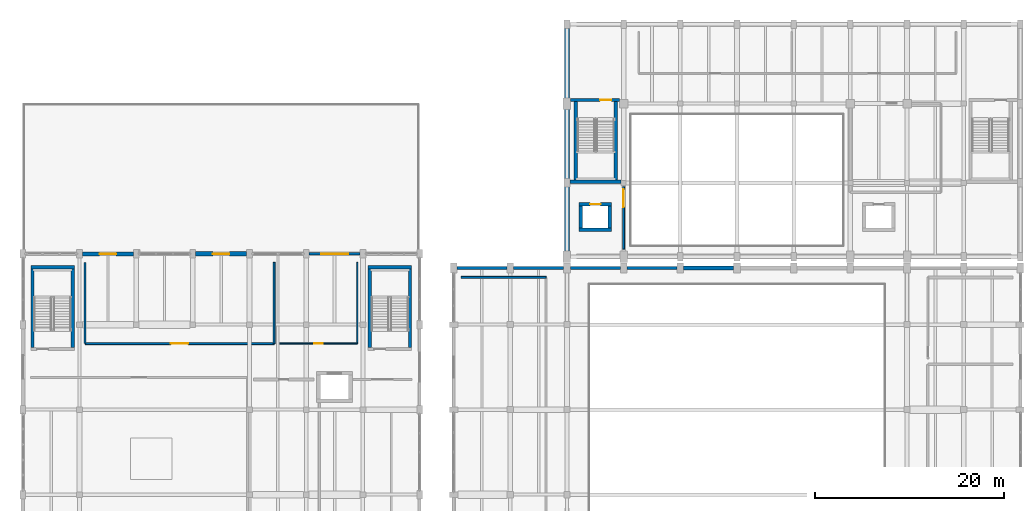
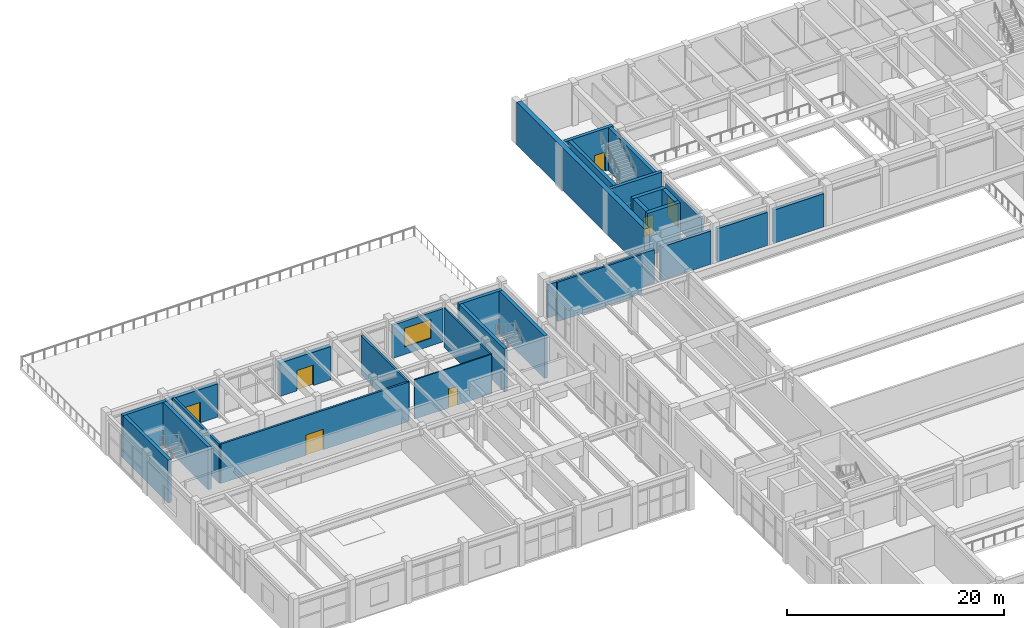
# One storey, part 60 of 80: 30 walls, 7 doors, 1 window, 8 openings.
"""IFC4 building model written with IfcOpenShell, lengths in metres."""

from ifc_helpers import new_model, si_unit, direction, frame, frame_2d, origin, place, context, subcontext, project, spatial, rectangle, extrude, material, layer, layer_set, type_object, element, fill, save


model = new_model("IFC4")

# Units and contexts
model_context = context("Model", 3, precision=1e-05, world=origin(), true_north=direction((0.0, 1.0)))
body_context = subcontext(model_context, "Body", "Model", "MODEL_VIEW")
ifc_project = project(units=[si_unit("LENGTHUNIT", "METRE"), si_unit("AREAUNIT", "SQUARE_METRE"), si_unit("VOLUMEUNIT", "CUBIC_METRE"), si_unit("PLANEANGLEUNIT", "RADIAN"), si_unit("MASSUNIT", "GRAM", prefix="KILO")], contexts=[model_context])

# Site, building, storey
site_placement = place(None, origin())
site = spatial("IfcSite", under=ifc_project, at=site_placement, CompositionType="ELEMENT")
building_placement = place(site_placement, origin())
building = spatial("IfcBuilding", under=site, at=building_placement, Name="Vaelkrest Opera House", CompositionType="ELEMENT")
storey_placement = place(building_placement, frame((0.0, 0.0, 15.0)))
storey = spatial("IfcBuildingStorey", under=building, at=storey_placement, Name="L03", CompositionType="ELEMENT", Elevation=15.0)

# Wall, opening, window
ifc_material_1 = material(Name="Douglas fir glulam GL28h", Category="wood")
ifc_layer_1 = layer(ifc_material_1, 0.2548828125)
ifc_layer_set_1 = layer_set([ifc_layer_1], Name="Douglas fir glulam GL28h")
wall_type_1 = type_object("IfcWallType", Name="EW01", PredefinedType="STANDARD", material=ifc_layer_set_1)
wall_1_placement = place(storey_placement, frame((-45.302001953125, 17.699951171875, 0.0), z_axis=(0.0, 0.0, 1.0), x_axis=(1.0, 0.0, 0.0)))
wall_1 = element("IfcWall", 1, at=wall_1_placement, inside=storey, type_object=wall_type_1, Name="Exterior facade wall EW-V3-L03-0191", PredefinedType="STANDARD", context=body_context, shape_type="SweptSolid", body=[
    extrude(rectangle(XDim=5.404052734375, YDim=0.2548828125, at=frame_2d((2.7021484375, 0.0))), origin(), (0.0, 0.0, 1.0), 3.7451171875),
])
opening_1_placement = place(wall_1_placement, frame((1.277099609375, 0.0, 0.85009765625)))
opening_1 = element("IfcOpeningElement", 2, at=opening_1_placement, cuts=wall_1, Name="Opening WN097", PredefinedType="OPENING", context=body_context, shape_type="SweptSolid", body=[
    extrude(rectangle(XDim=2.85009765625, YDim=2.10009765625, at=frame_2d((1.425048828125, 1.050048828125))), frame((0.0, 0.137451171875, 0.0), z_axis=(0.0, -1.0, 0.0), x_axis=(1.0, 0.0, 0.0)), (0.0, 0.0, 1.0), 0.27490234375),
])
ifc_material_2 = material(Name="Double low-E insulated glazing", Category="glass")
window_type = type_object("IfcWindowType", Name="WT19", PartitioningType="SINGLE_PANEL", PredefinedType="WINDOW", material=ifc_material_2)
window_placement = place(opening_1_placement, origin())
window = element("IfcWindow", 3, at=window_placement, inside=storey, type_object=window_type, Name="Facade window WN097", OverallHeight=2.10009765625, OverallWidth=2.85009765625, PartitioningType="SINGLE_PANEL", PredefinedType="WINDOW", context=body_context, shape_type="SweptSolid", body=[
    extrude(rectangle(XDim=2.85009765625, YDim=2.10009765625, at=frame_2d((1.425048828125, 1.050048828125))), frame((0.0, 0.030029296875, 0.0), z_axis=(0.0, -1.0, 0.0), x_axis=(1.0, 0.0, 0.0)), (0.0, 0.0, 1.0), 0.06005859375),
])
fill(opening_1, window)

# Walls
ifc_layer_2 = layer(ifc_material_1, 0.294921875)
ifc_layer_set_2 = layer_set([ifc_layer_2], Name="Douglas fir glulam GL28h")
wall_type_2 = type_object("IfcWallType", Name="EW03", PredefinedType="STANDARD", material=ifc_layer_set_2)
wall_2_placement = place(storey_placement, frame((-29.652099609375, 16.199951171875, 0.0), z_axis=(0.0, 0.0, 1.0), x_axis=(1.0, 0.0, 0.0)))
element("IfcWall", 4, at=wall_2_placement, inside=storey, type_object=wall_type_2, Name="Exterior facade wall EW-V1-L03-0083", PredefinedType="STANDARD", context=body_context, shape_type="SweptSolid", body=[
    extrude(rectangle(XDim=5.30419921875, YDim=0.294921875, at=frame_2d((2.652099609375, 0.0))), origin(), (0.0, 0.0, 1.0), 3.7451171875),
])
ifc_material_3 = material(Name="American black walnut acoustic timber", Category="wood")
ifc_layer_3 = layer(ifc_material_3, 0.31494140625)
ifc_layer_set_3 = layer_set([ifc_layer_3], Name="American black walnut acoustic timber")
wall_type_3 = type_object("IfcWallType", Name="EW04", PredefinedType="STANDARD", material=ifc_layer_set_3)
wall_3_placement = place(storey_placement, frame((-23.652099609375, 16.199951171875, 0.0), z_axis=(0.0, 0.0, 1.0), x_axis=(1.0, 0.0, 0.0)))
element("IfcWall", 5, at=wall_3_placement, inside=storey, type_object=wall_type_3, Name="Exterior facade wall EW-V1-L03-0084", PredefinedType="STANDARD", context=body_context, shape_type="SweptSolid", body=[
    extrude(rectangle(XDim=5.30419921875, YDim=0.31494140625, at=frame_2d((2.652099609375, 0.0))), origin(), (0.0, 0.0, 1.0), 3.7451171875),
])
ifc_layer_4 = layer(ifc_material_3, 0.3349609375)
ifc_layer_set_4 = layer_set([ifc_layer_4], Name="American black walnut acoustic timber")
wall_type_4 = type_object("IfcWallType", Name="EW05", PredefinedType="STANDARD", material=ifc_layer_set_4)
wall_4_placement = place(storey_placement, frame((-17.652099609375, 16.199951171875, 0.0), z_axis=(0.0, 0.0, 1.0), x_axis=(1.0, 0.0, 0.0)))
element("IfcWall", 6, at=wall_4_placement, inside=storey, type_object=wall_type_4, Name="Exterior facade wall EW-V1-L03-0085", PredefinedType="STANDARD", context=body_context, shape_type="SweptSolid", body=[
    extrude(rectangle(XDim=5.30419921875, YDim=0.3349609375, at=frame_2d((2.652099609375, 0.0))), origin(), (0.0, 0.0, 1.0), 3.7451171875),
])
ifc_layer_5 = layer(ifc_material_3, 0.360107421875)
ifc_layer_set_5 = layer_set([ifc_layer_5], Name="American black walnut acoustic timber")
wall_type_5 = type_object("IfcWallType", Name="EW06", PredefinedType="STANDARD", material=ifc_layer_set_5)
wall_5_placement = place(storey_placement, frame((-11.652099609375, 16.199951171875, 0.0), z_axis=(0.0, 0.0, 1.0), x_axis=(1.0, 0.0, 0.0)))
element("IfcWall", 7, at=wall_5_placement, inside=storey, type_object=wall_type_5, Name="Exterior facade wall EW-V1-L03-0086", PredefinedType="STANDARD", context=body_context, shape_type="SweptSolid", body=[
    extrude(rectangle(XDim=5.30419921875, YDim=0.360107421875, at=frame_2d((2.652099609375, 0.0))), origin(), (0.0, 0.0, 1.0), 3.7451171875),
])
ifc_material_4 = material(Name="Concrete C40/50", Category="concrete")
ifc_layer_6 = layer(ifc_material_4, 0.385009765625)
ifc_layer_set_6 = layer_set([ifc_layer_6], Name="Concrete C40/50")
wall_type_6 = type_object("IfcWallType", Name="EW07", PredefinedType="STANDARD", material=ifc_layer_set_6)
wall_6_placement = place(storey_placement, frame((-5.652099609375, 16.199951171875, 0.0), z_axis=(0.0, 0.0, 1.0), x_axis=(1.0, 0.0, 0.0)))
element("IfcWall", 8, at=wall_6_placement, inside=storey, type_object=wall_type_6, Name="Exterior facade wall EW-V1-L03-0087", PredefinedType="STANDARD", context=body_context, shape_type="SweptSolid", body=[
    extrude(rectangle(XDim=5.30419921875, YDim=0.385009765625, at=frame_2d((2.652099609375, 0.0))), origin(), (0.0, 0.0, 1.0), 3.7451171875),
])

# Wall, opening, door
ifc_layer_7 = layer(ifc_material_4, 0.43505859375)
ifc_layer_set_7 = layer_set([ifc_layer_7], Name="Concrete C40/50")
wall_type_7 = type_object("IfcWallType", Name="EW09", PredefinedType="STANDARD", material=ifc_layer_set_7)
wall_7_placement = place(storey_placement, frame((-69.302001953125, 17.699951171875, 0.0), z_axis=(0.0, 0.0, 1.0), x_axis=(1.0, 0.0, 0.0)))
wall_7 = element("IfcWall", 9, at=wall_7_placement, inside=storey, type_object=wall_type_7, Name="Exterior facade wall EW-V3-L03-0189", PredefinedType="STANDARD", context=body_context, shape_type="SweptSolid", body=[
    extrude(rectangle(XDim=5.404052734375, YDim=0.43505859375, at=frame_2d((2.7021484375, 0.0))), origin(), (0.0, 0.0, 1.0), 3.7451171875),
])
opening_2_placement = place(wall_7_placement, frame((1.826904296875, 0.0, 0.0)))
opening_2 = element("IfcOpeningElement", 10, at=opening_2_placement, cuts=wall_7, Name="Opening TD-V3-L03-1", PredefinedType="OPENING", context=body_context, shape_type="SweptSolid", body=[
    extrude(rectangle(XDim=1.75, YDim=2.300048828125, at=frame_2d((0.875, 1.14990234375))), frame((0.0, 0.2275390625, 0.0), z_axis=(0.0, -1.0, 0.0), x_axis=(1.0, 0.0, 0.0)), (0.0, 0.0, 1.0), 0.455078125),
])
ifc_material_5 = material(Name="Dark bronze anodized aluminium", Category="aluminium")
door_type_1 = type_object("IfcDoorType", Name="EDT04", OperationType="DOUBLE_DOOR_SINGLE_SWING", PredefinedType="DOOR", material=ifc_material_5)
door_1_placement = place(opening_2_placement, origin())
door_1 = element("IfcDoor", 11, at=door_1_placement, inside=storey, type_object=door_type_1, Name="Exterior exit door TD-V3-L03-1", OperationType="DOUBLE_DOOR_SINGLE_SWING", OverallHeight=2.300048828125, OverallWidth=1.75, PredefinedType="DOOR", context=body_context, shape_type="SweptSolid", body=[
    extrude(rectangle(XDim=1.75, YDim=2.300048828125, at=frame_2d((0.875, 1.14990234375))), frame((0.0, 0.02490234375, 0.0), z_axis=(0.0, -1.0, 0.0), x_axis=(1.0, 0.0, 0.0)), (0.0, 0.0, 1.0), 0.050048828125),
])
fill(opening_2, door_1)

ifc_layer_8 = layer(ifc_material_4, 0.465087890625)
ifc_layer_set_8 = layer_set([ifc_layer_8], Name="Concrete C40/50")
wall_type_8 = type_object("IfcWallType", Name="EW10", PredefinedType="STANDARD", material=ifc_layer_set_8)
wall_8_placement = place(storey_placement, frame((-57.302001953125, 17.699951171875, 0.0), z_axis=(0.0, 0.0, 1.0), x_axis=(1.0, 0.0, 0.0)))
wall_8 = element("IfcWall", 12, at=wall_8_placement, inside=storey, type_object=wall_type_8, Name="Exterior facade wall EW-V3-L03-0190", PredefinedType="STANDARD", context=body_context, shape_type="SweptSolid", body=[
    extrude(rectangle(XDim=5.404052734375, YDim=0.465087890625, at=frame_2d((2.7021484375, 0.0))), origin(), (0.0, 0.0, 1.0), 3.7451171875),
])
opening_3_placement = place(wall_8_placement, frame((1.826904296875, 0.0, 0.0)))
opening_3 = element("IfcOpeningElement", 13, at=opening_3_placement, cuts=wall_8, Name="Opening TD-V3-L03-3", PredefinedType="OPENING", context=body_context, shape_type="SweptSolid", body=[
    extrude(rectangle(XDim=1.75, YDim=2.300048828125, at=frame_2d((0.875, 1.14990234375))), frame((0.0, 0.242431640625, 0.0), z_axis=(0.0, -1.0, 0.0), x_axis=(1.0, 0.0, 0.0)), (0.0, 0.0, 1.0), 0.485107421875),
])
door_2_placement = place(opening_3_placement, origin())
door_2 = element("IfcDoor", 14, at=door_2_placement, inside=storey, type_object=door_type_1, Name="Exterior exit door TD-V3-L03-3", OperationType="DOUBLE_DOOR_SINGLE_SWING", OverallHeight=2.300048828125, OverallWidth=1.75, PredefinedType="DOOR", context=body_context, shape_type="SweptSolid", body=[
    extrude(rectangle(XDim=1.75, YDim=2.300048828125, at=frame_2d((0.875, 1.14990234375))), frame((0.0, 0.02490234375, 0.0), z_axis=(0.0, -1.0, 0.0), x_axis=(1.0, 0.0, 0.0)), (0.0, 0.0, 1.0), 0.050048828125),
])
fill(opening_3, door_2)

ifc_material_6 = material(Name="Gypsum acoustic board", Category="gypsum")
ifc_layer_9 = layer(ifc_material_6, 0.135009765625)
ifc_layer_set_9 = layer_set([ifc_layer_9], Name="Gypsum acoustic board")
wall_type_9 = type_object("IfcWallType", Name="PT02", PredefinedType="PARTITIONING", material=ifc_layer_set_9)
wall_9_placement = place(storey_placement, frame((-48.39990234375, 8.199951171875, 0.0), z_axis=(0.0, 0.0, 1.0), x_axis=(1.0, 0.0, 0.0)))
wall_9 = element("IfcWall", 15, at=wall_9_placement, inside=storey, type_object=wall_type_9, Name="Interior partition PT-V3-L03-0310", PredefinedType="PARTITIONING", context=body_context, shape_type="SweptSolid", body=[
    extrude(rectangle(XDim=8.199951171875, YDim=0.135009765625, at=frame_2d((4.10009765625, 0.0))), origin(), (0.0, 0.0, 1.0), 4.419921875),
])
opening_4_placement = place(wall_9_placement, frame((3.6298828125, 0.0, 0.0)))
opening_4 = element("IfcOpeningElement", 16, at=opening_4_placement, cuts=wall_9, Name="Opening D124", PredefinedType="OPENING", context=body_context, shape_type="SweptSolid", body=[
    extrude(rectangle(XDim=0.93994140625, YDim=2.10009765625, at=frame_2d((0.469970703125, 1.050048828125))), frame((0.0, 0.077392578125, 0.0), z_axis=(0.0, -1.0, 0.0), x_axis=(1.0, 0.0, 0.0)), (0.0, 0.0, 1.0), 0.155029296875),
])
door_type_2 = type_object("IfcDoorType", Name="DT02", OperationType="NOTDEFINED", PredefinedType="DOOR", material=ifc_material_3)
door_3_placement = place(opening_4_placement, origin())
door_3 = element("IfcDoor", 17, at=door_3_placement, inside=storey, type_object=door_type_2, Name="Interior door D124 (Accessible Washroom)", OperationType="SINGLE_SWING_LEFT", OverallHeight=2.10009765625, OverallWidth=0.93994140625, PredefinedType="DOOR", context=body_context, shape_type="SweptSolid", body=[
    extrude(rectangle(XDim=0.93994140625, YDim=2.10009765625, at=frame_2d((0.469970703125, 1.050048828125))), frame((0.0, 0.02490234375, 0.0), z_axis=(0.0, -1.0, 0.0), x_axis=(1.0, 0.0, 0.0)), (0.0, 0.0, 1.0), 0.050048828125),
])
fill(opening_4, door_3)

# Walls
ifc_layer_10 = layer(ifc_material_6, 0.14990234375)
ifc_layer_set_10 = layer_set([ifc_layer_10], Name="Gypsum acoustic board")
wall_type_10 = type_object("IfcWallType", Name="PT03", PredefinedType="PARTITIONING", material=ifc_layer_set_10)
wall_10_placement = place(storey_placement, frame((-40.199951171875, 8.199951171875, 0.0), z_axis=(0.0, 0.0, 1.0), x_axis=(0.0, 1.0, 0.0)))
element("IfcWall", 18, at=wall_10_placement, inside=storey, type_object=wall_type_10, Name="Interior partition PT-V3-L03-0311", PredefinedType="PARTITIONING", context=body_context, shape_type="SweptSolid", body=[
    extrude(rectangle(XDim=8.60009765625, YDim=0.14990234375, at=frame_2d((4.300048828125, 0.0))), origin(), (0.0, 0.0, 1.0), 4.419921875),
])
ifc_layer_11 = layer(ifc_material_3, 0.2099609375)
ifc_layer_set_11 = layer_set([ifc_layer_11], Name="American black walnut acoustic timber")
wall_type_11 = type_object("IfcWallType", Name="PT07", PredefinedType="PARTITIONING", material=ifc_layer_set_11)
wall_11_placement = place(storey_placement, frame((-29.199951171875, 15.199951171875, 0.0), z_axis=(0.0, 0.0, 1.0), x_axis=(1.0, 0.0, 0.0)))
element("IfcWall", 19, at=wall_11_placement, inside=storey, type_object=wall_type_11, Name="Interior partition PT-V1-L03-0091", PredefinedType="PARTITIONING", context=body_context, shape_type="SweptSolid", body=[
    extrude(rectangle(XDim=9.0, YDim=0.2099609375, at=frame_2d((4.5, 0.0))), origin(), (0.0, 0.0, 1.0), 4.419921875),
])

# Wall, opening, door
wall_12_placement = place(storey_placement, frame((-12.0, 18.199951171875, 0.0), z_axis=(0.0, 0.0, 1.0), x_axis=(0.0, 1.0, 0.0)))
wall_12 = element("IfcWall", 20, at=wall_12_placement, inside=storey, type_object=wall_type_11, Name="Interior partition PT-V2-L03-0205", PredefinedType="PARTITIONING", context=body_context, shape_type="SweptSolid", body=[
    extrude(rectangle(XDim=6.60009765625, YDim=0.2099609375, at=frame_2d((3.300048828125, 0.0))), origin(), (0.0, 0.0, 1.0), 3.73388671875),
])
opening_5_placement = place(wall_12_placement, frame((4.429931640625, 0.0, 0.0)))
opening_5 = element("IfcOpeningElement", 21, at=opening_5_placement, cuts=wall_12, Name="Opening D079", PredefinedType="OPENING", context=body_context, shape_type="SweptSolid", body=[
    extrude(rectangle(XDim=1.919921875, YDim=2.39990234375, at=frame_2d((0.9599609375, 1.199951171875))), frame((0.0, 0.114990234375, 0.0), z_axis=(0.0, -1.0, 0.0), x_axis=(1.0, 0.0, 0.0)), (0.0, 0.0, 1.0), 0.22998046875),
])
door_type_3 = type_object("IfcDoorType", Name="DT25", OperationType="DOUBLE_DOOR_SINGLE_SWING", PredefinedType="DOOR", material=ifc_material_3)
door_4_placement = place(opening_5_placement, origin())
door_4 = element("IfcDoor", 22, at=door_4_placement, inside=storey, type_object=door_type_3, Name="Interior door D079 (Fly Gallery)", OperationType="DOUBLE_DOOR_SINGLE_SWING", OverallHeight=2.39990234375, OverallWidth=1.919921875, PredefinedType="DOOR", context=body_context, shape_type="SweptSolid", body=[
    extrude(rectangle(XDim=1.919921875, YDim=2.39990234375, at=frame_2d((0.9599609375, 1.199951171875))), frame((0.0, 0.02490234375, 0.0), z_axis=(0.0, -1.0, 0.0), x_axis=(1.0, 0.0, 0.0)), (0.0, 0.0, 1.0), 0.050048828125),
])
fill(opening_5, door_4)

wall_13_placement = place(storey_placement, frame((-69.0, 8.199951171875, 0.0), z_axis=(0.0, 0.0, 1.0), x_axis=(1.0, 0.0, 0.0)))
wall_13 = element("IfcWall", 23, at=wall_13_placement, inside=storey, type_object=wall_type_11, Name="Interior partition PT-V3-L03-0307", PredefinedType="PARTITIONING", context=body_context, shape_type="SweptSolid", body=[
    extrude(rectangle(XDim=20.0, YDim=0.2099609375, at=frame_2d((10.0, 0.0))), origin(), (0.0, 0.0, 1.0), 4.419921875),
])
opening_6_placement = place(wall_13_placement, frame((9.074951171875, 0.0, 0.0)))
opening_6 = element("IfcOpeningElement", 24, at=opening_6_placement, cuts=wall_13, Name="Opening D123", PredefinedType="OPENING", context=body_context, shape_type="SweptSolid", body=[
    extrude(rectangle(XDim=1.85009765625, YDim=2.300048828125, at=frame_2d((0.925048828125, 1.14990234375))), frame((0.0, 0.114990234375, 0.0), z_axis=(0.0, -1.0, 0.0), x_axis=(1.0, 0.0, 0.0)), (0.0, 0.0, 1.0), 0.22998046875),
])
door_type_4 = type_object("IfcDoorType", Name="DT15", OperationType="DOUBLE_DOOR_SINGLE_SWING", PredefinedType="DOOR", material=ifc_material_3)
door_5_placement = place(opening_6_placement, origin())
door_5 = element("IfcDoor", 25, at=door_5_placement, inside=storey, type_object=door_type_4, Name="Interior door D123 (Coaching Suite)", OperationType="DOUBLE_DOOR_SINGLE_SWING", OverallHeight=2.300048828125, OverallWidth=1.85009765625, PredefinedType="DOOR", context=body_context, shape_type="SweptSolid", body=[
    extrude(rectangle(XDim=1.85009765625, YDim=2.300048828125, at=frame_2d((0.925048828125, 1.14990234375))), frame((0.0, 0.02490234375, 0.0), z_axis=(0.0, -1.0, 0.0), x_axis=(1.0, 0.0, 0.0)), (0.0, 0.0, 1.0), 0.050048828125),
])
fill(opening_6, door_5)

# Walls
wall_14_placement = place(storey_placement, frame((-49.0, 8.199951171875, 0.0), z_axis=(0.0, 0.0, 1.0), x_axis=(0.0, 1.0, 0.0)))
element("IfcWall", 26, at=wall_14_placement, inside=storey, type_object=wall_type_11, Name="Interior partition PT-V3-L03-0309", PredefinedType="PARTITIONING", context=body_context, shape_type="SweptSolid", body=[
    extrude(rectangle(XDim=8.60009765625, YDim=0.2099609375, at=frame_2d((4.300048828125, 0.0))), origin(), (0.0, 0.0, 1.0), 4.419921875),
])
ifc_layer_12 = layer(ifc_material_3, 0.22509765625)
ifc_layer_set_12 = layer_set([ifc_layer_12], Name="American black walnut acoustic timber")
wall_type_12 = type_object("IfcWallType", Name="PT08", PredefinedType="PARTITIONING", material=ifc_layer_set_12)
wall_15_placement = place(storey_placement, frame((-69.0, 8.199951171875, 0.0), z_axis=(0.0, 0.0, 1.0), x_axis=(0.0, 1.0, 0.0)))
element("IfcWall", 27, at=wall_15_placement, inside=storey, type_object=wall_type_12, Name="Interior partition PT-V3-L03-0308", PredefinedType="PARTITIONING", context=body_context, shape_type="SweptSolid", body=[
    extrude(rectangle(XDim=8.60009765625, YDim=0.22509765625, at=frame_2d((4.300048828125, 0.0))), origin(), (0.0, 0.0, 1.0), 4.419921875),
])
ifc_material_7 = material(Name="Concrete C50/60", Category="concrete")
ifc_layer_13 = layer(ifc_material_7, 0.35009765625)
ifc_layer_set_13 = layer_set([ifc_layer_13], Name="Concrete C50/60")
wall_type_13 = type_object("IfcWallType", Name="SW01", PredefinedType="SHEAR", material=ifc_layer_set_13)
wall_16_placement = place(storey_placement, frame((-12.27490234375, 25.324951171875, 0.0), z_axis=(0.0, 0.0, 1.0), x_axis=(-1.0, 0.0, 0.0)))
element("IfcWall", 28, at=wall_16_placement, inside=storey, type_object=wall_type_13, Name="Stair core ST05 wall L03 S", PredefinedType="SHEAR", context=body_context, shape_type="SweptSolid", body=[
    extrude(rectangle(XDim=5.425048828125, YDim=0.35009765625, at=frame_2d((2.71240234375, 0.0))), origin(), (0.0, 0.0, 1.0), 4.800048828125),
])
wall_17_placement = place(storey_placement, frame((-17.074951171875, 25.5, 0.0), z_axis=(0.0, 0.0, 1.0), x_axis=(0.0, 1.0, 0.0)))
element("IfcWall", 29, at=wall_17_placement, inside=storey, type_object=wall_type_13, Name="Stair core ST05 wall L03 W", PredefinedType="SHEAR", context=body_context, shape_type="SweptSolid", body=[
    extrude(rectangle(XDim=8.300048828125, YDim=0.35009765625, at=frame_2d((4.14990234375, 0.0))), origin(), (0.0, 0.0, 1.0), 4.800048828125),
])

# Wall, opening, door
wall_18_placement = place(storey_placement, frame((-17.60009765625, 33.97509765625, 0.0), z_axis=(0.0, 0.0, 1.0), x_axis=(1.0, 0.0, 0.0)))
wall_18 = element("IfcWall", 30, at=wall_18_placement, inside=storey, type_object=wall_type_13, Name="Stair core ST05 wall L03 N", PredefinedType="SHEAR", context=body_context, shape_type="SweptSolid", body=[
    extrude(rectangle(XDim=5.150146484375, YDim=0.35009765625, at=frame_2d((2.5751953125, 0.0))), origin(), (0.0, 0.0, 1.0), 4.800048828125),
])
opening_7_placement = place(wall_18_placement, frame((3.1201171875, 0.0, 0.0)))
opening_7 = element("IfcOpeningElement", 31, at=opening_7_placement, cuts=wall_18, Name="Opening SD-ST05-L03", PredefinedType="OPENING", context=body_context, shape_type="SweptSolid", body=[
    extrude(rectangle(XDim=1.179931640625, YDim=2.14990234375, at=frame_2d((0.58984375, 1.074951171875))), frame((0.0, 0.18505859375, 0.0), z_axis=(0.0, -1.0, 0.0), x_axis=(1.0, 0.0, 0.0)), (0.0, 0.0, 1.0), 0.3701171875),
])
door_type_5 = type_object("IfcDoorType", Name="DT07", OperationType="NOTDEFINED", PredefinedType="DOOR", material=ifc_material_3)
door_6_placement = place(opening_7_placement, origin())
door_6 = element("IfcDoor", 32, at=door_6_placement, inside=storey, type_object=door_type_5, Name="Protected stair door SD-ST05-L03", OperationType="SINGLE_SWING_RIGHT", OverallHeight=2.14990234375, OverallWidth=1.179931640625, PredefinedType="DOOR", context=body_context, shape_type="SweptSolid", body=[
    extrude(rectangle(XDim=1.179931640625, YDim=2.14990234375, at=frame_2d((0.58984375, 1.074951171875))), frame((0.0, 0.02490234375, 0.0), z_axis=(0.0, -1.0, 0.0), x_axis=(1.0, 0.0, 0.0)), (0.0, 0.0, 1.0), 0.050048828125),
])
fill(opening_7, door_6)

# Walls
for number, where, z_axis, x_axis, name in (
    (33, (-12.824951171875, 33.800048828125, 0.0), (0.0, 0.0, 1.0), (0.0, -1.0, 0.0), "Stair core ST05 wall L03 E"),
    (34, (-74.574951171875, 7.800048828125, 0.0), (0.0, 0.0, 1.0), (0.0, 1.0, 0.0), "Stair core ST07 wall L03 W"),
):
    element("IfcWall", number, at=place(storey_placement, frame(where, z_axis=z_axis, x_axis=x_axis)), inside=storey, type_object=wall_type_13, Name=name, PredefinedType="SHEAR", context=body_context, shape_type="SweptSolid", body=[
        extrude(rectangle(XDim=8.300048828125, YDim=0.35009765625, at=frame_2d((4.14990234375, 0.0))), origin(), (0.0, 0.0, 1.0), 4.800048828125),
    ])
wall_19_placement = place(storey_placement, frame((-74.75, 16.27490234375, 0.0), z_axis=(0.0, 0.0, 1.0), x_axis=(1.0, 0.0, 0.0)))
element("IfcWall", 35, at=wall_19_placement, inside=storey, type_object=wall_type_13, Name="Stair core ST07 wall L03 N", PredefinedType="SHEAR", context=body_context, shape_type="SweptSolid", body=[
    extrude(rectangle(XDim=4.60009765625, YDim=0.35009765625, at=frame_2d((2.300048828125, 0.0))), origin(), (0.0, 0.0, 1.0), 4.800048828125),
])
for number, where, z_axis, x_axis, name in (
    (36, (-70.324951171875, 16.10009765625, 0.0), (0.0, 0.0, 1.0), (0.0, -1.0, 0.0), "Stair core ST07 wall L03 E"),
    (37, (-38.875, 7.800048828125, 0.0), (0.0, 0.0, 1.0), (0.0, 1.0, 0.0), "Stair core ST08 wall L03 W"),
):
    element("IfcWall", number, at=place(storey_placement, frame(where, z_axis=z_axis, x_axis=x_axis)), inside=storey, type_object=wall_type_13, Name=name, PredefinedType="SHEAR", context=body_context, shape_type="SweptSolid", body=[
        extrude(rectangle(XDim=8.300048828125, YDim=0.35009765625, at=frame_2d((4.14990234375, 0.0))), origin(), (0.0, 0.0, 1.0), 4.800048828125),
    ])
wall_20_placement = place(storey_placement, frame((-39.050048828125, 16.27490234375, 0.0), z_axis=(0.0, 0.0, 1.0), x_axis=(1.0, 0.0, 0.0)))
element("IfcWall", 38, at=wall_20_placement, inside=storey, type_object=wall_type_13, Name="Stair core ST08 wall L03 N", PredefinedType="SHEAR", context=body_context, shape_type="SweptSolid", body=[
    extrude(rectangle(XDim=4.60009765625, YDim=0.35009765625, at=frame_2d((2.300048828125, 0.0))), origin(), (0.0, 0.0, 1.0), 4.800048828125),
])
wall_21_placement = place(storey_placement, frame((-34.625, 16.10009765625, 0.0), z_axis=(0.0, 0.0, 1.0), x_axis=(0.0, -1.0, 0.0)))
element("IfcWall", 39, at=wall_21_placement, inside=storey, type_object=wall_type_13, Name="Stair core ST08 wall L03 E", PredefinedType="SHEAR", context=body_context, shape_type="SweptSolid", body=[
    extrude(rectangle(XDim=8.300048828125, YDim=0.35009765625, at=frame_2d((4.14990234375, 0.0))), origin(), (0.0, 0.0, 1.0), 4.800048828125),
])
ifc_layer_14 = layer(ifc_material_7, 0.389892578125)
ifc_layer_set_14 = layer_set([ifc_layer_14], Name="Concrete C50/60")
wall_type_14 = type_object("IfcWallType", Name="SW02", PredefinedType="SHEAR", material=ifc_layer_set_14)
wall_22_placement = place(storey_placement, frame((-13.260009765625, 20.2548828125, 0.0), z_axis=(0.0, 0.0, 1.0), x_axis=(-1.0, 0.0, 0.0)))
element("IfcWall", 40, at=wall_22_placement, inside=storey, type_object=wall_type_14, Name="Lift shaft LF01 wall L03 S", PredefinedType="SHEAR", context=body_context, shape_type="SweptSolid", body=[
    extrude(rectangle(XDim=3.47998046875, YDim=0.389892578125, at=frame_2d((1.739990234375, 0.0))), origin(), (0.0, 0.0, 1.0), 4.800048828125),
])

# Wall, opening, door
wall_23_placement = place(storey_placement, frame((-16.739990234375, 22.945068359375, 0.0), z_axis=(0.0, 0.0, 1.0), x_axis=(1.0, 0.0, 0.0)))
wall_23 = element("IfcWall", 41, at=wall_23_placement, inside=storey, type_object=wall_type_14, Name="Lift shaft LF01 wall L03 N", PredefinedType="SHEAR", context=body_context, shape_type="SweptSolid", body=[
    extrude(rectangle(XDim=3.47998046875, YDim=0.389892578125, at=frame_2d((1.739990234375, 0.0))), origin(), (0.0, 0.0, 1.0), 4.800048828125),
])
opening_8_placement = place(wall_23_placement, frame((1.18994140625, 0.0, 0.0)))
opening_8 = element("IfcOpeningElement", 42, at=opening_8_placement, cuts=wall_23, Name="Opening LD-LF01-L03", PredefinedType="OPENING", context=body_context, shape_type="SweptSolid", body=[
    extrude(rectangle(XDim=1.10009765625, YDim=2.14990234375, at=frame_2d((0.550048828125, 1.074951171875))), frame((0.0, 0.204833984375, 0.0), z_axis=(0.0, -1.0, 0.0), x_axis=(1.0, 0.0, 0.0)), (0.0, 0.0, 1.0), 0.409912109375),
])
door_type_6 = type_object("IfcDoorType", Name="LDT01", OperationType="SLIDING_TO_LEFT", PredefinedType="DOOR", material=ifc_material_5)
door_7_placement = place(opening_8_placement, origin())
door_7 = element("IfcDoor", 43, at=door_7_placement, inside=storey, type_object=door_type_6, Name="Lift landing sliding door LD-LF01-L03", OperationType="SLIDING_TO_LEFT", OverallHeight=2.14990234375, OverallWidth=1.10009765625, PredefinedType="DOOR", context=body_context, shape_type="SweptSolid", body=[
    extrude(rectangle(XDim=1.10009765625, YDim=2.14990234375, at=frame_2d((0.550048828125, 1.074951171875))), frame((0.0, 0.02490234375, 0.0), z_axis=(0.0, -1.0, 0.0), x_axis=(1.0, 0.0, 0.0)), (0.0, 0.0, 1.0), 0.050048828125),
])
fill(opening_8, door_7)

# Walls
for number, where, z_axis, x_axis, name in (
    (44, (-16.544921875, 20.449951171875, 0.0), (0.0, 0.0, 1.0), (0.0, 1.0, 0.0), "Lift shaft LF01 wall L03 W"),
    (45, (-13.455078125, 22.75, 0.0), (0.0, 0.0, 1.0), (0.0, -1.0, 0.0), "Lift shaft LF01 wall L03 E"),
):
    element("IfcWall", number, at=place(storey_placement, frame(where, z_axis=z_axis, x_axis=x_axis)), inside=storey, type_object=wall_type_14, Name=name, PredefinedType="SHEAR", context=body_context, shape_type="SweptSolid", body=[
        extrude(rectangle(XDim=2.300048828125, YDim=0.389892578125, at=frame_2d((1.14990234375, 0.0))), origin(), (0.0, 0.0, 1.0), 4.800048828125),
    ])
ifc_layer_15 = layer(ifc_material_7, 0.5)
ifc_layer_set_15 = layer_set([ifc_layer_15], Name="Concrete C50/60")
wall_type_15 = type_object("IfcWallType", Name="SW05", PredefinedType="SHEAR", material=ifc_layer_set_15)
wall_24_placement = place(storey_placement, frame((-18.0, 18.0, 0.0), z_axis=(0.0, 0.0, 1.0), x_axis=(0.0, 1.0, 0.0)))
element("IfcWall", 46, at=wall_24_placement, inside=storey, type_object=wall_type_15, Name="Fly tower west shear wall L03", PredefinedType="SHEAR", context=body_context, shape_type="SweptSolid", body=[
    extrude(rectangle(XDim=23.550048828125, YDim=0.5, at=frame_2d((11.77490234375, 0.0))), origin(), (0.0, 0.0, 1.0), 4.800048828125),
])

save(model, "model.ifc")
